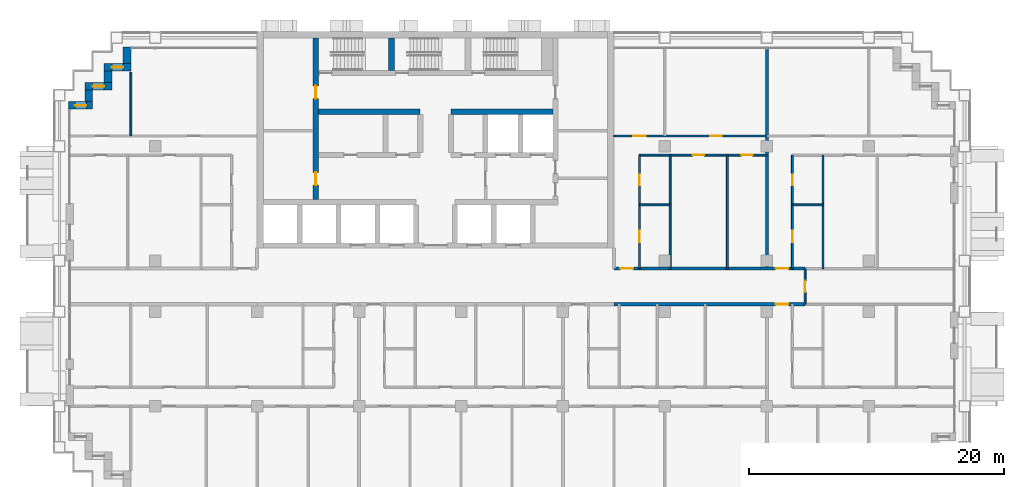
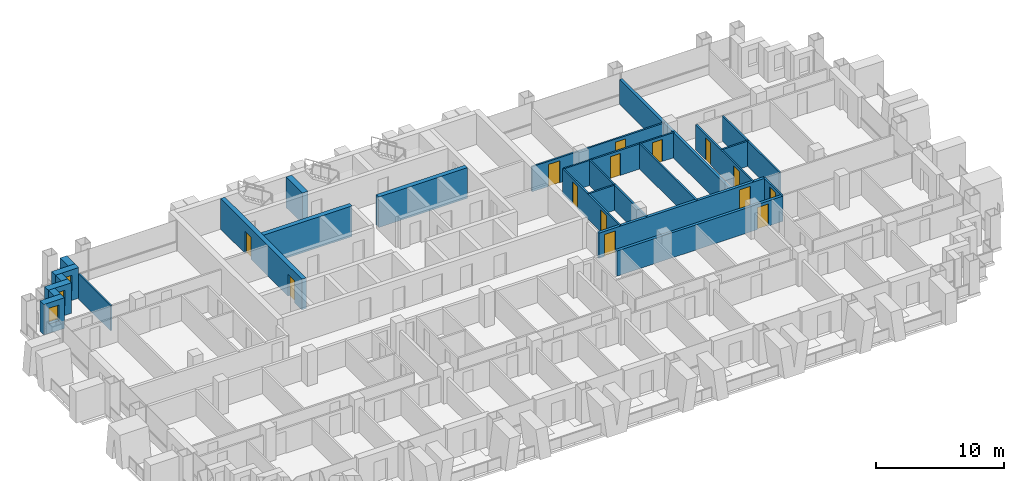
# One storey, part 12 of 18: 24 walls, 14 doors, 3 windows, 17 openings.
"""IFC4 building model written with IfcOpenShell, lengths in metres."""

from ifc_helpers import new_model, si_unit, direction, frame, frame_2d, origin, place, context, subcontext, project, spatial, rectangle, extrude, material, layer, layer_set, type_object, element, fill, save


model = new_model("IFC4")

# Units and contexts
model_context = context("Model", 3, precision=1e-05, world=origin(), true_north=direction((0.0, 1.0)))
body_context = subcontext(model_context, "Body", "Model", "MODEL_VIEW")
ifc_project = project(units=[si_unit("LENGTHUNIT", "METRE"), si_unit("AREAUNIT", "SQUARE_METRE"), si_unit("VOLUMEUNIT", "CUBIC_METRE"), si_unit("PLANEANGLEUNIT", "RADIAN"), si_unit("MASSUNIT", "GRAM", prefix="KILO")], contexts=[model_context])

# Site, building, storey
site_placement = place(None, origin())
site = spatial("IfcSite", under=ifc_project, at=site_placement, CompositionType="ELEMENT")
building_placement = place(site_placement, origin())
building = spatial("IfcBuilding", under=site, at=building_placement, Name="Vidyagriha Tower", CompositionType="ELEMENT")
storey_placement = place(building_placement, frame((0.0, 0.0, 80.699951171875)))
storey = spatial("IfcBuildingStorey", under=building, at=storey_placement, Name="L20", CompositionType="ELEMENT", Elevation=80.699951171875)

# Wall
ifc_material_1 = material(Name="Precast concrete C40/50 with brick facing", Category="concrete")
ifc_layer_1 = layer(ifc_material_1, 0.60009765625)
ifc_layer_set_1 = layer_set([ifc_layer_1], Name="Precast concrete C40/50 with brick facing")
wall_type_1 = type_object("IfcWallType", Name="Brick-faced precast wall 600", PredefinedType="STANDARD", material=ifc_layer_set_1)
wall_1_placement = place(storey_placement, frame((-24.199951171875, 18.780029296875, 0.0), z_axis=(0.0, 0.0, 1.0), x_axis=(0.0, -1.0, 0.0)))
element("IfcWall", 1, at=wall_1_placement, inside=storey, type_object=wall_type_1, Name="Stepped corner wall L20 R10", PredefinedType="STANDARD", context=body_context, shape_type="SweptSolid", body=[
    extrude(rectangle(XDim=1.280029296875, YDim=0.60009765625, at=frame_2d((0.64013671875, 0.0))), origin(), (0.0, 0.0, 1.0), 2.920166015625),
])

# Wall, opening, window
wall_2_placement = place(storey_placement, frame((-23.89990234375, 17.199951171875, 0.0), z_axis=(0.0, 0.0, 1.0), x_axis=(-1.0, 0.0, 0.0)))
wall_2 = element("IfcWall", 2, at=wall_2_placement, inside=storey, type_object=wall_type_1, Name="Stepped corner wall L20 R11", PredefinedType="STANDARD", context=body_context, shape_type="SweptSolid", body=[
    extrude(rectangle(XDim=2.10009765625, YDim=0.60009765625, at=frame_2d((1.050048828125, 0.0))), origin(), (0.0, 0.0, 1.0), 2.920166015625),
])
opening_1_placement = place(wall_2_placement, frame((0.60009765625, 0.0, 0.89990234375)))
opening_1 = element("IfcOpeningElement", 3, at=opening_1_placement, cuts=wall_2, Name="Opening WN1", PredefinedType="OPENING", context=body_context, shape_type="SweptSolid", body=[
    extrude(rectangle(XDim=0.89990234375, YDim=1.5, at=frame_2d((0.449951171875, 0.75))), frame((0.0, 0.31005859375, 0.0), z_axis=(0.0, -1.0, 0.0), x_axis=(1.0, 0.0, 0.0)), (0.0, 0.0, 1.0), 0.6201171875),
])
ifc_material_2 = material(Name="Aluminium and glass window", Category="aluminium")
window_type = type_object("IfcWindowType", Name="Reveal window 900x1500", PartitioningType="NOTDEFINED", PredefinedType="WINDOW", material=ifc_material_2)
window_1_placement = place(opening_1_placement, origin())
window_1 = element("IfcWindow", 4, at=window_1_placement, inside=storey, type_object=window_type, Name="Reveal window L20 R11", OverallHeight=1.5, OverallWidth=0.89990234375, PartitioningType="SINGLE_PANEL", PredefinedType="WINDOW", context=body_context, shape_type="SweptSolid", body=[
    extrude(rectangle(XDim=0.89990234375, YDim=1.5, at=frame_2d((0.449951171875, 0.75))), frame((0.0, 0.030029296875, 0.0), z_axis=(0.0, -1.0, 0.0), x_axis=(1.0, 0.0, 0.0)), (0.0, 0.0, 1.0), 0.06005859375),
])
fill(opening_1, window_1)

# Wall
wall_3_placement = place(storey_placement, frame((-25.699951171875, 16.89990234375, 0.0), z_axis=(0.0, 0.0, 1.0), x_axis=(0.0, -1.0, 0.0)))
element("IfcWall", 5, at=wall_3_placement, inside=storey, type_object=wall_type_1, Name="Stepped corner wall L20 R12", PredefinedType="STANDARD", context=body_context, shape_type="SweptSolid", body=[
    extrude(rectangle(XDim=0.89990234375, YDim=0.60009765625, at=frame_2d((0.449951171875, 0.0))), origin(), (0.0, 0.0, 1.0), 2.920166015625),
])

# Wall, opening, window
wall_4_placement = place(storey_placement, frame((-25.39990234375, 15.699951171875, 0.0), z_axis=(0.0, 0.0, 1.0), x_axis=(-1.0, 0.0, 0.0)))
wall_4 = element("IfcWall", 6, at=wall_4_placement, inside=storey, type_object=wall_type_1, Name="Stepped corner wall L20 R13", PredefinedType="STANDARD", context=body_context, shape_type="SweptSolid", body=[
    extrude(rectangle(XDim=2.10009765625, YDim=0.60009765625, at=frame_2d((1.050048828125, 0.0))), origin(), (0.0, 0.0, 1.0), 2.920166015625),
])
opening_2_placement = place(wall_4_placement, frame((0.60009765625, 0.0, 0.89990234375)))
opening_2 = element("IfcOpeningElement", 7, at=opening_2_placement, cuts=wall_4, Name="Opening WN1", PredefinedType="OPENING", context=body_context, shape_type="SweptSolid", body=[
    extrude(rectangle(XDim=0.89990234375, YDim=1.5, at=frame_2d((0.449951171875, 0.75))), frame((0.0, 0.31005859375, 0.0), z_axis=(0.0, -1.0, 0.0), x_axis=(1.0, 0.0, 0.0)), (0.0, 0.0, 1.0), 0.6201171875),
])
window_2_placement = place(opening_2_placement, origin())
window_2 = element("IfcWindow", 8, at=window_2_placement, inside=storey, type_object=window_type, Name="Reveal window L20 R13", OverallHeight=1.5, OverallWidth=0.89990234375, PartitioningType="SINGLE_PANEL", PredefinedType="WINDOW", context=body_context, shape_type="SweptSolid", body=[
    extrude(rectangle(XDim=0.89990234375, YDim=1.5, at=frame_2d((0.449951171875, 0.75))), frame((0.0, 0.030029296875, 0.0), z_axis=(0.0, -1.0, 0.0), x_axis=(1.0, 0.0, 0.0)), (0.0, 0.0, 1.0), 0.06005859375),
])
fill(opening_2, window_2)

# Wall
wall_5_placement = place(storey_placement, frame((-27.199951171875, 15.39990234375, 0.0), z_axis=(0.0, 0.0, 1.0), x_axis=(0.0, -1.0, 0.0)))
element("IfcWall", 9, at=wall_5_placement, inside=storey, type_object=wall_type_1, Name="Stepped corner wall L20 R14", PredefinedType="STANDARD", context=body_context, shape_type="SweptSolid", body=[
    extrude(rectangle(XDim=0.89990234375, YDim=0.60009765625, at=frame_2d((0.449951171875, 0.0))), origin(), (0.0, 0.0, 1.0), 2.920166015625),
])

# Wall, opening, window
wall_6_placement = place(storey_placement, frame((-26.89990234375, 14.199951171875, 0.0), z_axis=(0.0, 0.0, 1.0), x_axis=(-1.0, 0.0, 0.0)))
wall_6 = element("IfcWall", 10, at=wall_6_placement, inside=storey, type_object=wall_type_1, Name="Stepped corner wall L20 R15", PredefinedType="STANDARD", context=body_context, shape_type="SweptSolid", body=[
    extrude(rectangle(XDim=1.880126953125, YDim=0.60009765625, at=frame_2d((0.93994140625, 0.0))), origin(), (0.0, 0.0, 1.0), 2.920166015625),
])
opening_3_placement = place(wall_6_placement, frame((0.489990234375, 0.0, 0.89990234375)))
opening_3 = element("IfcOpeningElement", 11, at=opening_3_placement, cuts=wall_6, Name="Opening WN1", PredefinedType="OPENING", context=body_context, shape_type="SweptSolid", body=[
    extrude(rectangle(XDim=0.89990234375, YDim=1.5, at=frame_2d((0.449951171875, 0.75))), frame((0.0, 0.31005859375, 0.0), z_axis=(0.0, -1.0, 0.0), x_axis=(1.0, 0.0, 0.0)), (0.0, 0.0, 1.0), 0.6201171875),
])
window_3_placement = place(opening_3_placement, origin())
window_3 = element("IfcWindow", 12, at=window_3_placement, inside=storey, type_object=window_type, Name="Reveal window L20 R15", OverallHeight=1.5, OverallWidth=0.89990234375, PartitioningType="SINGLE_PANEL", PredefinedType="WINDOW", context=body_context, shape_type="SweptSolid", body=[
    extrude(rectangle(XDim=0.89990234375, YDim=1.5, at=frame_2d((0.449951171875, 0.75))), frame((0.0, 0.030029296875, 0.0), z_axis=(0.0, -1.0, 0.0), x_axis=(1.0, 0.0, 0.0)), (0.0, 0.0, 1.0), 0.06005859375),
])
fill(opening_3, window_3)

# Wall, openings, doors
ifc_material_3 = material(Name="Concrete C60/75", Category="concrete")
ifc_layer_2 = layer(ifc_material_3, 0.39990234375)
ifc_layer_set_2 = layer_set([ifc_layer_2], Name="Concrete C60/75")
wall_type_2 = type_object("IfcWallType", Name="Core shear wall 400 mm", PredefinedType="SHEAR", material=ifc_layer_set_2)
wall_7_placement = place(storey_placement, frame((-9.39990234375, 6.800048828125, 0.0), z_axis=(0.0, 0.0, 1.0), x_axis=(0.0, 1.0, 0.0)))
wall_7 = element("IfcWall", 13, at=wall_7_placement, inside=storey, type_object=wall_type_2, Name="Core west spine wall", PredefinedType="SHEAR", context=body_context, shape_type="SweptSolid", body=[
    extrude(rectangle(XDim=12.699951171875, YDim=0.39990234375, at=frame_2d((6.35009765625, 0.0))), origin(), (0.0, 0.0, 1.0), 2.920166015625),
])
opening_4_placement = place(wall_7_placement, frame((1.14990234375, 0.0, 0.0)))
opening_4 = element("IfcOpeningElement", 14, at=opening_4_placement, cuts=wall_7, Name="Opening D20-09", PredefinedType="OPENING", context=body_context, shape_type="SweptSolid", body=[
    extrude(rectangle(XDim=1.0, YDim=2.10009765625, at=frame_2d((0.5, 1.050048828125))), frame((0.0, 0.2099609375, 0.0), z_axis=(0.0, -1.0, 0.0), x_axis=(1.0, 0.0, 0.0)), (0.0, 0.0, 1.0), 0.419921875),
])
opening_5_placement = place(wall_7_placement, frame((7.925048828125, 0.0, 0.0)))
opening_5 = element("IfcOpeningElement", 15, at=opening_5_placement, cuts=wall_7, Name="Opening D20-10", PredefinedType="OPENING", context=body_context, shape_type="SweptSolid", body=[
    extrude(rectangle(XDim=1.0, YDim=2.10009765625, at=frame_2d((0.5, 1.050048828125))), frame((0.0, 0.2099609375, 0.0), z_axis=(0.0, -1.0, 0.0), x_axis=(1.0, 0.0, 0.0)), (0.0, 0.0, 1.0), 0.419921875),
])
ifc_material_4 = material(Name="Hollow metal door leaf")
door_type_1 = type_object("IfcDoorType", Name="Core room door 1000 x 2100 mm EI 60", OperationType="NOTDEFINED", PredefinedType="DOOR", material=ifc_material_4)
door_1_placement = place(opening_4_placement, frame((1.0, 0.0, 0.0), z_axis=(0.0, 0.0, 1.0), x_axis=(-1.0, 0.0, 0.0)))
door_1 = element("IfcDoor", 16, at=door_1_placement, inside=storey, type_object=door_type_1, Name="Door Riser Room 20.W1", OperationType="SINGLE_SWING_RIGHT", OverallHeight=2.10009765625, OverallWidth=1.0, PredefinedType="DOOR", context=body_context, shape_type="SweptSolid", body=[
    extrude(rectangle(XDim=1.0, YDim=2.10009765625, at=frame_2d((0.5, 1.050048828125))), frame((0.0, 0.02490234375, 0.0), z_axis=(0.0, -1.0, 0.0), x_axis=(1.0, 0.0, 0.0)), (0.0, 0.0, 1.0), 0.050048828125),
])
fill(opening_4, door_1)
door_2_placement = place(opening_5_placement, frame((1.0, 0.0, 0.0), z_axis=(0.0, 0.0, 1.0), x_axis=(-1.0, 0.0, 0.0)))
door_2 = element("IfcDoor", 17, at=door_2_placement, inside=storey, type_object=door_type_1, Name="Door Switchgear Room 20.W2", OperationType="SINGLE_SWING_LEFT", OverallHeight=2.10009765625, OverallWidth=1.0, PredefinedType="DOOR", context=body_context, shape_type="SweptSolid", body=[
    extrude(rectangle(XDim=1.0, YDim=2.10009765625, at=frame_2d((0.5, 1.050048828125))), frame((0.0, 0.02490234375, 0.0), z_axis=(0.0, -1.0, 0.0), x_axis=(1.0, 0.0, 0.0)), (0.0, 0.0, 1.0), 0.050048828125),
])
fill(opening_5, door_2)

# Walls
for number, where, name in (
    (18, (-9.199951171875, 13.699951171875, 0.0), "Core row N rear wall"),
    (19, (1.199951171875, 13.699951171875, 0.0), "Core row N rear wall"),
):
    element("IfcWall", number, at=place(storey_placement, frame(where)), inside=storey, type_object=wall_type_2, Name=name, PredefinedType="SHEAR", context=body_context, shape_type="SweptSolid", body=[
        extrude(rectangle(XDim=8.0, YDim=0.39990234375, at=frame_2d((4.0, 0.0))), origin(), (0.0, 0.0, 1.0), 2.920166015625),
    ])
ifc_material_5 = material(Name="Concrete C60/75", Category="concrete")
ifc_layer_3 = layer(ifc_material_5, 0.5)
ifc_layer_set_3 = layer_set([ifc_layer_3], Name="Concrete C60/75")
wall_type_3 = type_object("IfcWallType", Name="Core shear wall 500 mm", PredefinedType="SHEAR", material=ifc_layer_set_3)
wall_8_placement = place(storey_placement, frame((-3.449951171875, 16.949951171875, 0.0), z_axis=(0.0, 0.0, 1.0), x_axis=(0.0, 1.0, 0.0)))
element("IfcWall", 20, at=wall_8_placement, inside=storey, type_object=wall_type_3, Name="Stair partition wall 1", PredefinedType="SHEAR", context=body_context, shape_type="SweptSolid", body=[
    extrude(rectangle(XDim=2.550048828125, YDim=0.5, at=frame_2d((1.27490234375, 0.0))), origin(), (0.0, 0.0, 1.0), 2.920166015625),
])

# Wall, opening, door
ifc_material_6 = material(Name="Fired clay brick masonry", Category="masonry")
ifc_layer_4 = layer(ifc_material_6, 0.25)
ifc_layer_set_4 = layer_set([ifc_layer_4], Name="Fired clay brick masonry")
wall_type_4 = type_object("IfcWallType", Name="Fired clay brick corridor wall 250", PredefinedType="PARTITIONING", material=ifc_layer_set_4)
wall_9_placement = place(storey_placement, frame((29.0, -1.39990234375, 0.0), z_axis=(0.0, 0.0, 1.0), x_axis=(-1.0, 0.0, 0.0)))
wall_9 = element("IfcWall", 21, at=wall_9_placement, inside=storey, type_object=wall_type_4, Name="Wall all-L20-w081", PredefinedType="PARTITIONING", context=body_context, shape_type="SweptSolid", body=[
    extrude(rectangle(XDim=15.0, YDim=0.25, at=frame_2d((7.5, 0.0))), origin(), (0.0, 0.0, 1.0), 2.400146484375),
])
opening_6_placement = place(wall_9_placement, frame((1.31103515625, 0.0, 0.0)))
opening_6 = element("IfcOpeningElement", 22, at=opening_6_placement, cuts=wall_9, Name="Opening D20-51", PredefinedType="OPENING", context=body_context, shape_type="SweptSolid", body=[
    extrude(rectangle(XDim=1.0, YDim=2.10009765625, at=frame_2d((0.5, 1.050048828125))), frame((0.0, 0.135009765625, 0.0), z_axis=(0.0, -1.0, 0.0), x_axis=(1.0, 0.0, 0.0)), (0.0, 0.0, 1.0), 0.27001953125),
])
ifc_material_7 = material(Name="Fire-rated timber door leaf EI 60", Category="wood")
door_type_2 = type_object("IfcDoorType", Name="Flat entrance fire door 1000x2100", OperationType="NOTDEFINED", PredefinedType="DOOR", material=ifc_material_7)
door_3_placement = place(opening_6_placement, origin())
door_3 = element("IfcDoor", 23, at=door_3_placement, inside=storey, type_object=door_type_2, Name="Door D20-51", OperationType="SINGLE_SWING_RIGHT", OverallHeight=2.10009765625, OverallWidth=1.0, PredefinedType="DOOR", context=body_context, shape_type="SweptSolid", body=[
    extrude(rectangle(XDim=1.0, YDim=2.10009765625, at=frame_2d((0.5, 1.050048828125))), frame((0.0, 0.02490234375, 0.0), z_axis=(0.0, -1.0, 0.0), x_axis=(1.0, 0.0, 0.0)), (0.0, 0.0, 1.0), 0.050048828125),
])
fill(opening_6, door_3)

# Wall, openings, doors
wall_10_placement = place(storey_placement, frame((14.0, 1.39990234375, 0.0)))
wall_10 = element("IfcWall", 24, at=wall_10_placement, inside=storey, type_object=wall_type_4, Name="Wall all-L20-w127", PredefinedType="PARTITIONING", context=body_context, shape_type="SweptSolid", body=[
    extrude(rectangle(XDim=15.0, YDim=0.25, at=frame_2d((7.5, 0.0))), origin(), (0.0, 0.0, 1.0), 2.400146484375),
])
opening_7_placement = place(wall_10_placement, frame((0.5, 0.0, 0.0)))
opening_7 = element("IfcOpeningElement", 25, at=opening_7_placement, cuts=wall_10, Name="Opening D20-65", PredefinedType="OPENING", context=body_context, shape_type="SweptSolid", body=[
    extrude(rectangle(XDim=1.0, YDim=2.10009765625, at=frame_2d((0.5, 1.050048828125))), frame((0.0, 0.135009765625, 0.0), z_axis=(0.0, -1.0, 0.0), x_axis=(1.0, 0.0, 0.0)), (0.0, 0.0, 1.0), 0.27001953125),
])
opening_8_placement = place(wall_10_placement, frame((12.68896484375, 0.0, 0.0)))
opening_8 = element("IfcOpeningElement", 26, at=opening_8_placement, cuts=wall_10, Name="Opening D20-72", PredefinedType="OPENING", context=body_context, shape_type="SweptSolid", body=[
    extrude(rectangle(XDim=1.0, YDim=2.10009765625, at=frame_2d((0.5, 1.050048828125))), frame((0.0, 0.135009765625, 0.0), z_axis=(0.0, -1.0, 0.0), x_axis=(1.0, 0.0, 0.0)), (0.0, 0.0, 1.0), 0.27001953125),
])
door_4_placement = place(opening_7_placement, origin())
door_4 = element("IfcDoor", 27, at=door_4_placement, inside=storey, type_object=door_type_2, Name="Door D20-65", OperationType="SINGLE_SWING_LEFT", OverallHeight=2.10009765625, OverallWidth=1.0, PredefinedType="DOOR", context=body_context, shape_type="SweptSolid", body=[
    extrude(rectangle(XDim=1.0, YDim=2.10009765625, at=frame_2d((0.5, 1.050048828125))), frame((0.0, 0.02490234375, 0.0), z_axis=(0.0, -1.0, 0.0), x_axis=(1.0, 0.0, 0.0)), (0.0, 0.0, 1.0), 0.050048828125),
])
fill(opening_7, door_4)
door_5_placement = place(opening_8_placement, origin())
door_5 = element("IfcDoor", 28, at=door_5_placement, inside=storey, type_object=door_type_2, Name="Door D20-72", OperationType="SINGLE_SWING_LEFT", OverallHeight=2.10009765625, OverallWidth=1.0, PredefinedType="DOOR", context=body_context, shape_type="SweptSolid", body=[
    extrude(rectangle(XDim=1.0, YDim=2.10009765625, at=frame_2d((0.5, 1.050048828125))), frame((0.0, 0.02490234375, 0.0), z_axis=(0.0, -1.0, 0.0), x_axis=(1.0, 0.0, 0.0)), (0.0, 0.0, 1.0), 0.050048828125),
])
fill(opening_8, door_5)

# Walls
ifc_material_8 = material(Name="Fired clay brick masonry", Category="masonry")
ifc_layer_5 = layer(ifc_material_8, 0.25)
ifc_layer_set_5 = layer_set([ifc_layer_5], Name="Fired clay brick masonry")
wall_type_5 = type_object("IfcWallType", Name="Fired clay brick demising wall 250", PredefinedType="PARTITIONING", material=ifc_layer_set_5)
wall_11_placement = place(storey_placement, frame((26.0, 18.62109375, 0.0), z_axis=(0.0, 0.0, 1.0), x_axis=(0.0, -1.0, 0.0)))
element("IfcWall", 29, at=wall_11_placement, inside=storey, type_object=wall_type_5, Name="Wall all-L20-w126", PredefinedType="PARTITIONING", context=body_context, shape_type="SweptSolid", body=[
    extrude(rectangle(XDim=17.22119140625, YDim=0.25, at=frame_2d((8.610595703125, 0.0))), origin(), (0.0, 0.0, 1.0), 2.400146484375),
])
ifc_material_9 = material(Name="Gypsum board partition")
ifc_layer_6 = layer(ifc_material_9, 0.14990234375)
ifc_layer_set_6 = layer_set([ifc_layer_6], Name="Gypsum board partition")
wall_type_6 = type_object("IfcWallType", Name="Gypsum board partition 150", PredefinedType="PARTITIONING", material=ifc_layer_set_6)
wall_12_placement = place(storey_placement, frame((-23.89990234375, 16.820068359375, 0.0), z_axis=(0.0, 0.0, 1.0), x_axis=(0.0, -1.0, 0.0)))
element("IfcWall", 30, at=wall_12_placement, inside=storey, type_object=wall_type_6, Name="Wall all-L20-w095", PredefinedType="PARTITIONING", context=body_context, shape_type="SweptSolid", body=[
    extrude(rectangle(XDim=5.02001953125, YDim=0.14990234375, at=frame_2d((2.510009765625, 0.0))), origin(), (0.0, 0.0, 1.0), 2.400146484375),
])
wall_13_placement = place(storey_placement, frame((16.0, 6.39990234375, 0.0)))
element("IfcWall", 31, at=wall_13_placement, inside=storey, type_object=wall_type_6, Name="Wall all-L20-w101", PredefinedType="PARTITIONING", context=body_context, shape_type="SweptSolid", body=[
    extrude(rectangle(XDim=2.39990234375, YDim=0.14990234375, at=frame_2d((1.199951171875, 0.0))), origin(), (0.0, 0.0, 1.0), 2.400146484375),
])
for number, where, z_axis, x_axis, name in (
    (32, (18.39990234375, 10.300048828125, 0.0), (0.0, 0.0, 1.0), (0.0, -1.0, 0.0), "Wall all-L20-w102"),
    (33, (22.89990234375, 10.300048828125, 0.0), (0.0, 0.0, 1.0), (0.0, -1.0, 0.0), "Wall all-L20-w103"),
):
    element("IfcWall", number, at=place(storey_placement, frame(where, z_axis=z_axis, x_axis=x_axis)), inside=storey, type_object=wall_type_6, Name=name, PredefinedType="PARTITIONING", context=body_context, shape_type="SweptSolid", body=[
        extrude(rectangle(XDim=8.900146484375, YDim=0.14990234375, at=frame_2d((4.4501953125, 0.0))), origin(), (0.0, 0.0, 1.0), 2.400146484375),
    ])

# Wall, openings, doors
wall_14_placement = place(storey_placement, frame((26.0, 10.300048828125, 0.0), z_axis=(0.0, 0.0, 1.0), x_axis=(-1.0, 0.0, 0.0)))
wall_14 = element("IfcWall", 34, at=wall_14_placement, inside=storey, type_object=wall_type_6, Name="Wall all-L20-w104", PredefinedType="PARTITIONING", context=body_context, shape_type="SweptSolid", body=[
    extrude(rectangle(XDim=10.0, YDim=0.14990234375, at=frame_2d((5.0, 0.0))), origin(), (0.0, 0.0, 1.0), 2.400146484375),
])
opening_9_placement = place(wall_14_placement, frame((4.89990234375, 0.0, 0.0)))
opening_9 = element("IfcOpeningElement", 35, at=opening_9_placement, cuts=wall_14, Name="Opening D20-61", PredefinedType="OPENING", context=body_context, shape_type="SweptSolid", body=[
    extrude(rectangle(XDim=0.89990234375, YDim=2.10009765625, at=frame_2d((0.449951171875, 1.050048828125))), frame((0.0, 0.0849609375, 0.0), z_axis=(0.0, -1.0, 0.0), x_axis=(1.0, 0.0, 0.0)), (0.0, 0.0, 1.0), 0.169921875),
])
opening_10_placement = place(wall_14_placement, frame((1.10009765625, 0.0, 0.0)))
opening_10 = element("IfcOpeningElement", 36, at=opening_10_placement, cuts=wall_14, Name="Opening D20-62", PredefinedType="OPENING", context=body_context, shape_type="SweptSolid", body=[
    extrude(rectangle(XDim=0.89990234375, YDim=2.10009765625, at=frame_2d((0.449951171875, 1.050048828125))), frame((0.0, 0.0849609375, 0.0), z_axis=(0.0, -1.0, 0.0), x_axis=(1.0, 0.0, 0.0)), (0.0, 0.0, 1.0), 0.169921875),
])
ifc_material_10 = material(Name="Timber door leaf", Category="wood")
door_type_3 = type_object("IfcDoorType", Name="Room door 900x2100", OperationType="NOTDEFINED", PredefinedType="DOOR", material=ifc_material_10)
door_6_placement = place(opening_9_placement, origin())
door_6 = element("IfcDoor", 37, at=door_6_placement, inside=storey, type_object=door_type_3, Name="Door D20-61", OperationType="SINGLE_SWING_RIGHT", OverallHeight=2.10009765625, OverallWidth=0.89990234375, PredefinedType="DOOR", context=body_context, shape_type="SweptSolid", body=[
    extrude(rectangle(XDim=0.89990234375, YDim=2.10009765625, at=frame_2d((0.449951171875, 1.050048828125))), frame((0.0, 0.02490234375, 0.0), z_axis=(0.0, -1.0, 0.0), x_axis=(1.0, 0.0, 0.0)), (0.0, 0.0, 1.0), 0.050048828125),
])
fill(opening_9, door_6)
door_7_placement = place(opening_10_placement, origin())
door_7 = element("IfcDoor", 38, at=door_7_placement, inside=storey, type_object=door_type_3, Name="Door D20-62", OperationType="SINGLE_SWING_RIGHT", OverallHeight=2.10009765625, OverallWidth=0.89990234375, PredefinedType="DOOR", context=body_context, shape_type="SweptSolid", body=[
    extrude(rectangle(XDim=0.89990234375, YDim=2.10009765625, at=frame_2d((0.449951171875, 1.050048828125))), frame((0.0, 0.02490234375, 0.0), z_axis=(0.0, -1.0, 0.0), x_axis=(1.0, 0.0, 0.0)), (0.0, 0.0, 1.0), 0.050048828125),
])
fill(opening_10, door_7)

wall_15_placement = place(storey_placement, frame((14.0, 11.800048828125, 0.0)))
wall_15 = element("IfcWall", 39, at=wall_15_placement, inside=storey, type_object=wall_type_6, Name="Wall all-L20-w107", PredefinedType="PARTITIONING", context=body_context, shape_type="SweptSolid", body=[
    extrude(rectangle(XDim=12.0, YDim=0.14990234375, at=frame_2d((6.0, 0.0))), origin(), (0.0, 0.0, 1.0), 2.400146484375),
])
opening_11_placement = place(wall_15_placement, frame((1.5, 0.0, 0.0)))
opening_11 = element("IfcOpeningElement", 40, at=opening_11_placement, cuts=wall_15, Name="Opening D20-63", PredefinedType="OPENING", context=body_context, shape_type="SweptSolid", body=[
    extrude(rectangle(XDim=1.0, YDim=2.10009765625, at=frame_2d((0.5, 1.050048828125))), frame((0.0, 0.0849609375, 0.0), z_axis=(0.0, -1.0, 0.0), x_axis=(1.0, 0.0, 0.0)), (0.0, 0.0, 1.0), 0.169921875),
])
opening_12_placement = place(wall_15_placement, frame((7.550048828125, 0.0, 0.0)))
opening_12 = element("IfcOpeningElement", 41, at=opening_12_placement, cuts=wall_15, Name="Opening D20-64", PredefinedType="OPENING", context=body_context, shape_type="SweptSolid", body=[
    extrude(rectangle(XDim=0.89990234375, YDim=2.10009765625, at=frame_2d((0.449951171875, 1.050048828125))), frame((0.0, 0.0849609375, 0.0), z_axis=(0.0, -1.0, 0.0), x_axis=(1.0, 0.0, 0.0)), (0.0, 0.0, 1.0), 0.169921875),
])
ifc_material_11 = material(Name="Timber door leaf", Category="wood")
door_type_4 = type_object("IfcDoorType", Name="Room door 1000x2100", OperationType="NOTDEFINED", PredefinedType="DOOR", material=ifc_material_11)
door_8_placement = place(opening_11_placement, origin())
door_8 = element("IfcDoor", 42, at=door_8_placement, inside=storey, type_object=door_type_4, Name="Door D20-63", OperationType="SINGLE_SWING_RIGHT", OverallHeight=2.10009765625, OverallWidth=1.0, PredefinedType="DOOR", context=body_context, shape_type="SweptSolid", body=[
    extrude(rectangle(XDim=1.0, YDim=2.10009765625, at=frame_2d((0.5, 1.050048828125))), frame((0.0, 0.02490234375, 0.0), z_axis=(0.0, -1.0, 0.0), x_axis=(1.0, 0.0, 0.0)), (0.0, 0.0, 1.0), 0.050048828125),
])
fill(opening_11, door_8)
door_9_placement = place(opening_12_placement, origin())
door_9 = element("IfcDoor", 43, at=door_9_placement, inside=storey, type_object=door_type_3, Name="Door D20-64", OperationType="SINGLE_SWING_RIGHT", OverallHeight=2.10009765625, OverallWidth=0.89990234375, PredefinedType="DOOR", context=body_context, shape_type="SweptSolid", body=[
    extrude(rectangle(XDim=0.89990234375, YDim=2.10009765625, at=frame_2d((0.449951171875, 1.050048828125))), frame((0.0, 0.02490234375, 0.0), z_axis=(0.0, -1.0, 0.0), x_axis=(1.0, 0.0, 0.0)), (0.0, 0.0, 1.0), 0.050048828125),
])
fill(opening_12, door_9)

# Walls
wall_16_placement = place(storey_placement, frame((28.0, 6.39990234375, 0.0)))
element("IfcWall", 44, at=wall_16_placement, inside=storey, type_object=wall_type_6, Name="Wall all-L20-w115", PredefinedType="PARTITIONING", context=body_context, shape_type="SweptSolid", body=[
    extrude(rectangle(XDim=2.39990234375, YDim=0.14990234375, at=frame_2d((1.199951171875, 0.0))), origin(), (0.0, 0.0, 1.0), 2.400146484375),
])
wall_17_placement = place(storey_placement, frame((30.39990234375, 10.300048828125, 0.0), z_axis=(0.0, 0.0, 1.0), x_axis=(0.0, -1.0, 0.0)))
element("IfcWall", 45, at=wall_17_placement, inside=storey, type_object=wall_type_6, Name="Wall all-L20-w116", PredefinedType="PARTITIONING", context=body_context, shape_type="SweptSolid", body=[
    extrude(rectangle(XDim=8.900146484375, YDim=0.14990234375, at=frame_2d((4.4501953125, 0.0))), origin(), (0.0, 0.0, 1.0), 2.400146484375),
])

# Wall, opening, door
wall_18_placement = place(storey_placement, frame((29.0, -1.39990234375, 0.0), z_axis=(0.0, 0.0, 1.0), x_axis=(0.0, 1.0, 0.0)))
wall_18 = element("IfcWall", 46, at=wall_18_placement, inside=storey, type_object=wall_type_6, Name="Wall all-L20-w129", PredefinedType="PARTITIONING", context=body_context, shape_type="SweptSolid", body=[
    extrude(rectangle(XDim=2.7998046875, YDim=0.14990234375, at=frame_2d((1.39990234375, 0.0))), origin(), (0.0, 0.0, 1.0), 2.400146484375),
])
opening_13_placement = place(wall_18_placement, frame((0.949951171875, 0.0, 0.0)))
opening_13 = element("IfcOpeningElement", 47, at=opening_13_placement, cuts=wall_18, Name="Opening D20-73", PredefinedType="OPENING", context=body_context, shape_type="SweptSolid", body=[
    extrude(rectangle(XDim=0.89990234375, YDim=2.10009765625, at=frame_2d((0.449951171875, 1.050048828125))), frame((0.0, 0.0849609375, 0.0), z_axis=(0.0, -1.0, 0.0), x_axis=(1.0, 0.0, 0.0)), (0.0, 0.0, 1.0), 0.169921875),
])
door_10_placement = place(opening_13_placement, origin())
door_10 = element("IfcDoor", 48, at=door_10_placement, inside=storey, type_object=door_type_3, Name="Door D20-73", OperationType="SINGLE_SWING_RIGHT", OverallHeight=2.10009765625, OverallWidth=0.89990234375, PredefinedType="DOOR", context=body_context, shape_type="SweptSolid", body=[
    extrude(rectangle(XDim=0.89990234375, YDim=2.10009765625, at=frame_2d((0.449951171875, 1.050048828125))), frame((0.0, 0.02490234375, 0.0), z_axis=(0.0, -1.0, 0.0), x_axis=(1.0, 0.0, 0.0)), (0.0, 0.0, 1.0), 0.050048828125),
])
fill(opening_13, door_10)

# Wall, openings, doors
ifc_material_12 = material(Name="Moisture resistant gypsum board partition")
ifc_layer_7 = layer(ifc_material_12, 0.14990234375)
ifc_layer_set_7 = layer_set([ifc_layer_7], Name="Moisture resistant gypsum board partition")
wall_type_7 = type_object("IfcWallType", Name="Gypsum board wet-area partition 150", PredefinedType="PARTITIONING", material=ifc_layer_set_7)
wall_19_placement = place(storey_placement, frame((16.0, 10.300048828125, 0.0), z_axis=(0.0, 0.0, 1.0), x_axis=(0.0, -1.0, 0.0)))
wall_19 = element("IfcWall", 49, at=wall_19_placement, inside=storey, type_object=wall_type_7, Name="Wall all-L20-w098", PredefinedType="PARTITIONING", context=body_context, shape_type="SweptSolid", body=[
    extrude(rectangle(XDim=8.900146484375, YDim=0.14990234375, at=frame_2d((4.4501953125, 0.0))), origin(), (0.0, 0.0, 1.0), 2.400146484375),
])
opening_14_placement = place(wall_19_placement, frame((5.949951171875, 0.0, 0.0)))
opening_14 = element("IfcOpeningElement", 50, at=opening_14_placement, cuts=wall_19, Name="Opening D20-59", PredefinedType="OPENING", context=body_context, shape_type="SweptSolid", body=[
    extrude(rectangle(XDim=0.89990234375, YDim=2.10009765625, at=frame_2d((0.449951171875, 1.050048828125))), frame((0.0, 0.0849609375, 0.0), z_axis=(0.0, -1.0, 0.0), x_axis=(1.0, 0.0, 0.0)), (0.0, 0.0, 1.0), 0.169921875),
])
opening_15_placement = place(wall_19_placement, frame((1.550048828125, 0.0, 0.0)))
opening_15 = element("IfcOpeningElement", 51, at=opening_15_placement, cuts=wall_19, Name="Opening D20-60", PredefinedType="OPENING", context=body_context, shape_type="SweptSolid", body=[
    extrude(rectangle(XDim=0.800048828125, YDim=2.10009765625, at=frame_2d((0.39990234375, 1.050048828125))), frame((0.0, 0.0849609375, 0.0), z_axis=(0.0, -1.0, 0.0), x_axis=(1.0, 0.0, 0.0)), (0.0, 0.0, 1.0), 0.169921875),
])
ifc_material_13 = material(Name="Timber door leaf", Category="wood")
door_type_5 = type_object("IfcDoorType", Name="Bathroom door 800x2100", OperationType="NOTDEFINED", PredefinedType="DOOR", material=ifc_material_13)
door_11_placement = place(opening_15_placement, origin())
door_11 = element("IfcDoor", 52, at=door_11_placement, inside=storey, type_object=door_type_5, Name="Door D20-60", OperationType="SINGLE_SWING_RIGHT", OverallHeight=2.10009765625, OverallWidth=0.800048828125, PredefinedType="DOOR", context=body_context, shape_type="SweptSolid", body=[
    extrude(rectangle(XDim=0.800048828125, YDim=2.10009765625, at=frame_2d((0.39990234375, 1.050048828125))), frame((0.0, 0.02490234375, 0.0), z_axis=(0.0, -1.0, 0.0), x_axis=(1.0, 0.0, 0.0)), (0.0, 0.0, 1.0), 0.050048828125),
])
fill(opening_15, door_11)
ifc_material_14 = material(Name="Timber door leaf", Category="wood")
door_type_6 = type_object("IfcDoorType", Name="Kitchen door 900x2100", OperationType="NOTDEFINED", PredefinedType="DOOR", material=ifc_material_14)
door_12_placement = place(opening_14_placement, origin())
door_12 = element("IfcDoor", 53, at=door_12_placement, inside=storey, type_object=door_type_6, Name="Door D20-59", OperationType="SINGLE_SWING_LEFT", OverallHeight=2.10009765625, OverallWidth=0.89990234375, PredefinedType="DOOR", context=body_context, shape_type="SweptSolid", body=[
    extrude(rectangle(XDim=0.89990234375, YDim=2.10009765625, at=frame_2d((0.449951171875, 1.050048828125))), frame((0.0, 0.02490234375, 0.0), z_axis=(0.0, -1.0, 0.0), x_axis=(1.0, 0.0, 0.0)), (0.0, 0.0, 1.0), 0.050048828125),
])
fill(opening_14, door_12)

wall_20_placement = place(storey_placement, frame((28.0, 10.300048828125, 0.0), z_axis=(0.0, 0.0, 1.0), x_axis=(0.0, -1.0, 0.0)))
wall_20 = element("IfcWall", 54, at=wall_20_placement, inside=storey, type_object=wall_type_7, Name="Wall all-L20-w112", PredefinedType="PARTITIONING", context=body_context, shape_type="SweptSolid", body=[
    extrude(rectangle(XDim=8.900146484375, YDim=0.14990234375, at=frame_2d((4.4501953125, 0.0))), origin(), (0.0, 0.0, 1.0), 2.400146484375),
])
opening_16_placement = place(wall_20_placement, frame((5.949951171875, 0.0, 0.0)))
opening_16 = element("IfcOpeningElement", 55, at=opening_16_placement, cuts=wall_20, Name="Opening D20-66", PredefinedType="OPENING", context=body_context, shape_type="SweptSolid", body=[
    extrude(rectangle(XDim=0.89990234375, YDim=2.10009765625, at=frame_2d((0.449951171875, 1.050048828125))), frame((0.0, 0.0849609375, 0.0), z_axis=(0.0, -1.0, 0.0), x_axis=(1.0, 0.0, 0.0)), (0.0, 0.0, 1.0), 0.169921875),
])
opening_17_placement = place(wall_20_placement, frame((1.550048828125, 0.0, 0.0)))
opening_17 = element("IfcOpeningElement", 56, at=opening_17_placement, cuts=wall_20, Name="Opening D20-67", PredefinedType="OPENING", context=body_context, shape_type="SweptSolid", body=[
    extrude(rectangle(XDim=0.800048828125, YDim=2.10009765625, at=frame_2d((0.39990234375, 1.050048828125))), frame((0.0, 0.0849609375, 0.0), z_axis=(0.0, -1.0, 0.0), x_axis=(1.0, 0.0, 0.0)), (0.0, 0.0, 1.0), 0.169921875),
])
door_13_placement = place(opening_17_placement, origin())
door_13 = element("IfcDoor", 57, at=door_13_placement, inside=storey, type_object=door_type_5, Name="Door D20-67", OperationType="SINGLE_SWING_RIGHT", OverallHeight=2.10009765625, OverallWidth=0.800048828125, PredefinedType="DOOR", context=body_context, shape_type="SweptSolid", body=[
    extrude(rectangle(XDim=0.800048828125, YDim=2.10009765625, at=frame_2d((0.39990234375, 1.050048828125))), frame((0.0, 0.02490234375, 0.0), z_axis=(0.0, -1.0, 0.0), x_axis=(1.0, 0.0, 0.0)), (0.0, 0.0, 1.0), 0.050048828125),
])
fill(opening_17, door_13)
door_14_placement = place(opening_16_placement, origin())
door_14 = element("IfcDoor", 58, at=door_14_placement, inside=storey, type_object=door_type_6, Name="Door D20-66", OperationType="SINGLE_SWING_LEFT", OverallHeight=2.10009765625, OverallWidth=0.89990234375, PredefinedType="DOOR", context=body_context, shape_type="SweptSolid", body=[
    extrude(rectangle(XDim=0.89990234375, YDim=2.10009765625, at=frame_2d((0.449951171875, 1.050048828125))), frame((0.0, 0.02490234375, 0.0), z_axis=(0.0, -1.0, 0.0), x_axis=(1.0, 0.0, 0.0)), (0.0, 0.0, 1.0), 0.050048828125),
])
fill(opening_16, door_14)

save(model, "model.ifc")
